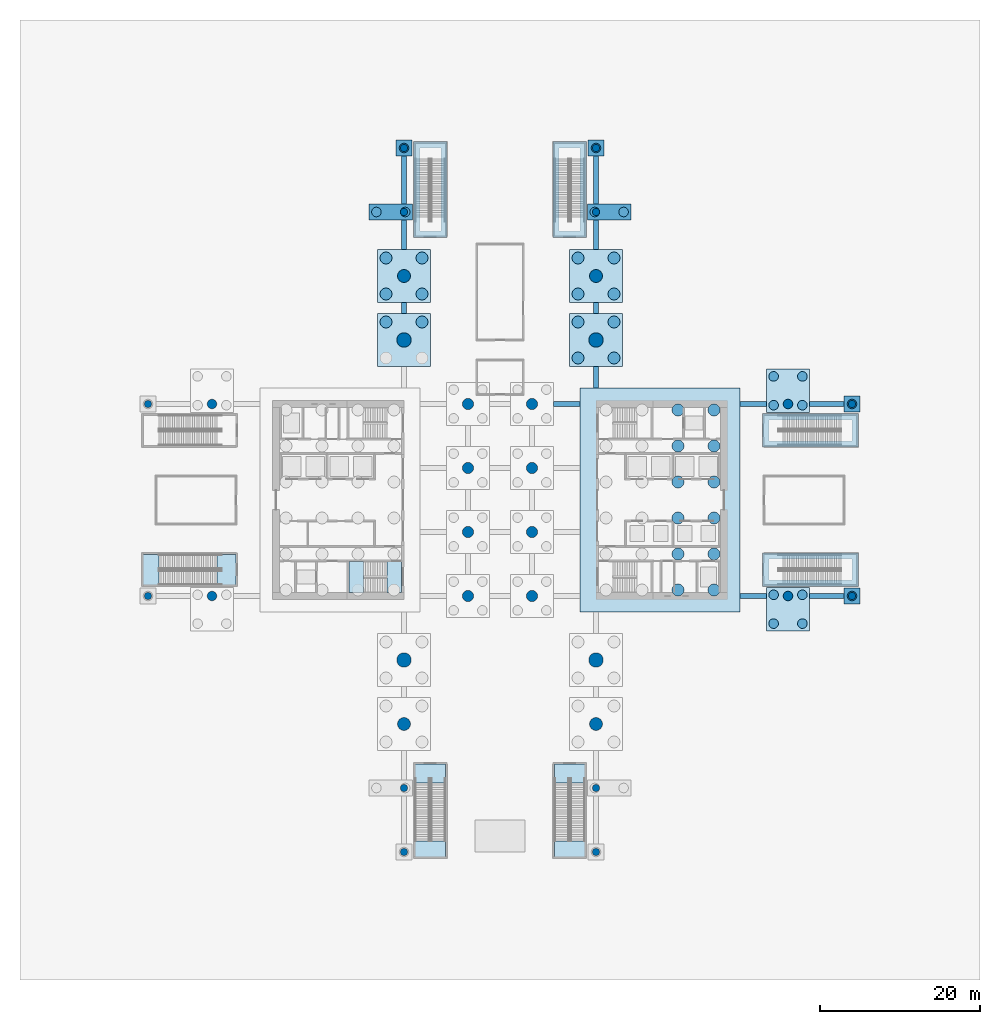
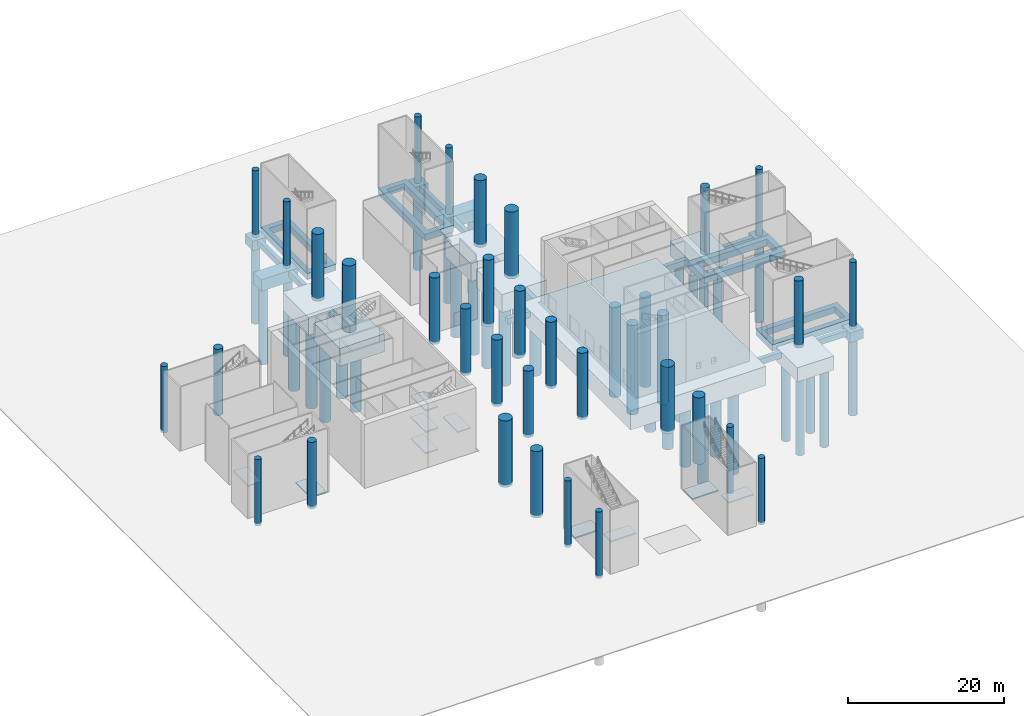
# One storey, part 2 of 14: 42 piles, 32 columns, 29 footings, 10 slabs, 4 elements without a shape of their own.
"""IFC4 building model written with IfcOpenShell, lengths in metres."""

from ifc_helpers import new_model, si_unit, direction, frame, origin, origin_2d, place, context, subcontext, project, spatial, polyline, rectangle, circle, outline, extrude, material, layer, layer_set, material_profile, profile_set, type_object, element, aggregate, save


model = new_model("IFC4")

# Units and contexts
model_context = context("Model", 3, precision=1e-05, world=origin(), true_north=direction((0.0, 1.0)))
body_context = subcontext(model_context, "Body", "Model", "MODEL_VIEW")
ifc_project = project(units=[si_unit("LENGTHUNIT", "METRE"), si_unit("AREAUNIT", "SQUARE_METRE"), si_unit("VOLUMEUNIT", "CUBIC_METRE"), si_unit("PLANEANGLEUNIT", "RADIAN"), si_unit("MASSUNIT", "GRAM", prefix="KILO")], contexts=[model_context])

# Site, building, storey
site_placement = place(None, origin())
site = spatial("IfcSite", under=ifc_project, at=site_placement, CompositionType="ELEMENT")
building_placement = place(site_placement, origin())
building = spatial("IfcBuilding", under=site, at=building_placement, Name="Crosswind Convention Tower", CompositionType="ELEMENT")
storey_placement = place(building_placement, origin())
storey = spatial("IfcBuildingStorey", under=building, at=storey_placement, Name="L00", CompositionType="ELEMENT", Elevation=0.0)

# Piles
ifc_material_1 = material(Name="Concrete C40/50", Category="concrete")
ifc_material_profile_1 = material_profile(ifc_material_1, circle(Radius=0.60009765625, at=origin_2d()), Name="Bored pile D1200")
ifc_profile_set_1 = profile_set([ifc_material_profile_1], Name="Concrete C40/50")
pile_type_1 = type_object("IfcPileType", Name="Bored pile D1200", PredefinedType="BORED", material=ifc_profile_set_1)
for number, where, z_axis, x_axis, name in (
    (1, (109.550048828125, 136.0, -2.199951171875), (0.0, 0.0, -1.0), (1.0, 0.0, 0.0), "Bored pile D1200 at 5/K"),
    (2, (113.14990234375, 136.0, -2.199951171875), (0.0, 0.0, -1.0), (1.0, 0.0, 0.0), "Bored pile D1200 at 5/K"),
    (3, (113.0, 144.0, -1.89990234375), (0.0, 0.0, -1.0), (1.0, 0.0, 0.0), "Bored pile D1200 at 5/L"),
    (4, (136.85009765625, 136.0, -2.199951171875), (0.0, 0.0, -1.0), (1.0, 0.0, 0.0), "Bored pile D1200 at 8/K"),
    (5, (140.449951171875, 136.0, -2.199951171875), (0.0, 0.0, -1.0), (1.0, 0.0, 0.0), "Bored pile D1200 at 8/K"),
    (6, (137.0, 144.0, -1.89990234375), (0.0, 0.0, -1.0), (1.0, 0.0, 0.0), "Bored pile D1200 at 8/L"),
    (7, (159.199951171875, 84.550048828125, -2.60009765625), (0.0, 0.0, -1.0), (1.0, 0.0, 0.0), "Bored pile D1200 at 11/E"),
    (8, (162.800048828125, 84.550048828125, -2.60009765625), (0.0, 0.0, -1.0), (1.0, 0.0, 0.0), "Bored pile D1200 at 11/E"),
    (9, (159.199951171875, 88.14990234375, -2.60009765625), (0.0, 0.0, -1.0), (1.0, 0.0, 0.0), "Bored pile D1200 at 11/E"),
    (10, (162.800048828125, 88.14990234375, -2.60009765625), (0.0, 0.0, -1.0), (1.0, 0.0, 0.0), "Bored pile D1200 at 11/E"),
    (11, (159.199951171875, 111.85009765625, -2.60009765625), (0.0, 0.0, -1.0), (1.0, 0.0, 0.0), "Bored pile D1200 at 11/H"),
    (12, (162.800048828125, 111.85009765625, -2.60009765625), (0.0, 0.0, -1.0), (1.0, 0.0, 0.0), "Bored pile D1200 at 11/H"),
    (13, (159.199951171875, 115.449951171875, -2.60009765625), (0.0, 0.0, -1.0), (1.0, 0.0, 0.0), "Bored pile D1200 at 11/H"),
    (14, (162.800048828125, 115.449951171875, -2.60009765625), (0.0, 0.0, -1.0), (1.0, 0.0, 0.0), "Bored pile D1200 at 11/H"),
    (15, (169.0, 88.0, -1.89990234375), (0.0, 0.0, -1.0), (1.0, 0.0, 0.0), "Bored pile D1200 at 12/E"),
    (16, (169.0, 112.0, -1.89990234375), (0.0, 0.0, -1.0), (1.0, 0.0, 0.0), "Bored pile D1200 at 12/H"),
):
    element("IfcPile", number, at=place(storey_placement, frame(where, z_axis=z_axis, x_axis=x_axis)), inside=storey, type_object=pile_type_1, Name=name, PredefinedType="BORED", context=body_context, shape_type="SweptSolid", body=[
        extrude(circle(Radius=0.60009765625, at=origin_2d()), origin(), (0.0, 0.0, 1.0), 12.0),
    ])
ifc_material_profile_2 = material_profile(ifc_material_1, circle(Radius=0.75, at=origin_2d()), Name="Bored pile D1500")
ifc_profile_set_2 = profile_set([ifc_material_profile_2], Name="Concrete C40/50")
pile_type_2 = type_object("IfcPileType", Name="Bored pile D1500", PredefinedType="BORED", material=ifc_profile_set_2)
for number, where, z_axis, x_axis, name in (
    (17, (147.25, 88.75, -3.39990234375), (0.0, 0.0, -1.0), (1.0, 0.0, 0.0), "Bored pile D1500 under core raft E"),
    (18, (147.25, 93.25, -3.39990234375), (0.0, 0.0, -1.0), (1.0, 0.0, 0.0), "Bored pile D1500 under core raft E"),
    (19, (147.25, 97.75, -3.39990234375), (0.0, 0.0, -1.0), (1.0, 0.0, 0.0), "Bored pile D1500 under core raft E"),
    (20, (147.25, 102.25, -3.39990234375), (0.0, 0.0, -1.0), (1.0, 0.0, 0.0), "Bored pile D1500 under core raft E"),
    (21, (147.25, 106.75, -3.39990234375), (0.0, 0.0, -1.0), (1.0, 0.0, 0.0), "Bored pile D1500 under core raft E"),
    (22, (147.25, 111.25, -3.39990234375), (0.0, 0.0, -1.0), (1.0, 0.0, 0.0), "Bored pile D1500 under core raft E"),
    (23, (151.75, 88.75, -3.39990234375), (0.0, 0.0, -1.0), (1.0, 0.0, 0.0), "Bored pile D1500 under core raft E"),
    (24, (151.75, 93.25, -3.39990234375), (0.0, 0.0, -1.0), (1.0, 0.0, 0.0), "Bored pile D1500 under core raft E"),
    (25, (151.75, 97.75, -3.39990234375), (0.0, 0.0, -1.0), (1.0, 0.0, 0.0), "Bored pile D1500 under core raft E"),
    (26, (151.75, 102.25, -3.39990234375), (0.0, 0.0, -1.0), (1.0, 0.0, 0.0), "Bored pile D1500 under core raft E"),
    (27, (151.75, 106.75, -3.39990234375), (0.0, 0.0, -1.0), (1.0, 0.0, 0.0), "Bored pile D1500 under core raft E"),
    (28, (151.75, 111.25, -3.39990234375), (0.0, 0.0, -1.0), (1.0, 0.0, 0.0), "Bored pile D1500 under core raft E"),
):
    element("IfcPile", number, at=place(storey_placement, frame(where, z_axis=z_axis, x_axis=x_axis)), inside=storey, type_object=pile_type_2, Name=name, PredefinedType="BORED", context=body_context, shape_type="SweptSolid", body=[
        extrude(circle(Radius=0.75, at=origin_2d()), origin(), (0.0, 0.0, 1.0), 14.0),
    ])
for number, where, z_axis, x_axis, name in (
    (29, (110.75, 122.25, -3.199951171875), (0.0, 0.0, -1.0), (1.0, 0.0, 0.0), "Bored pile D1500 at 5/I"),
    (30, (115.25, 122.25, -3.199951171875), (0.0, 0.0, -1.0), (1.0, 0.0, 0.0), "Bored pile D1500 at 5/I"),
    (31, (110.75, 125.75, -3.199951171875), (0.0, 0.0, -1.0), (1.0, 0.0, 0.0), "Bored pile D1500 at 5/J"),
    (32, (115.25, 125.75, -3.199951171875), (0.0, 0.0, -1.0), (1.0, 0.0, 0.0), "Bored pile D1500 at 5/J"),
    (33, (110.75, 130.25, -3.199951171875), (0.0, 0.0, -1.0), (1.0, 0.0, 0.0), "Bored pile D1500 at 5/J"),
    (34, (115.25, 130.25, -3.199951171875), (0.0, 0.0, -1.0), (1.0, 0.0, 0.0), "Bored pile D1500 at 5/J"),
    (35, (134.75, 117.75, -3.199951171875), (0.0, 0.0, -1.0), (1.0, 0.0, 0.0), "Bored pile D1500 at 8/I"),
    (36, (139.25, 117.75, -3.199951171875), (0.0, 0.0, -1.0), (1.0, 0.0, 0.0), "Bored pile D1500 at 8/I"),
    (37, (134.75, 122.25, -3.199951171875), (0.0, 0.0, -1.0), (1.0, 0.0, 0.0), "Bored pile D1500 at 8/I"),
    (38, (139.25, 122.25, -3.199951171875), (0.0, 0.0, -1.0), (1.0, 0.0, 0.0), "Bored pile D1500 at 8/I"),
    (39, (134.75, 125.75, -3.199951171875), (0.0, 0.0, -1.0), (1.0, 0.0, 0.0), "Bored pile D1500 at 8/J"),
    (40, (139.25, 125.75, -3.199951171875), (0.0, 0.0, -1.0), (1.0, 0.0, 0.0), "Bored pile D1500 at 8/J"),
    (41, (134.75, 130.25, -3.199951171875), (0.0, 0.0, -1.0), (1.0, 0.0, 0.0), "Bored pile D1500 at 8/J"),
    (42, (139.25, 130.25, -3.199951171875), (0.0, 0.0, -1.0), (1.0, 0.0, 0.0), "Bored pile D1500 at 8/J"),
):
    element("IfcPile", number, at=place(storey_placement, frame(where, z_axis=z_axis, x_axis=x_axis)), inside=storey, type_object=pile_type_2, Name=name, PredefinedType="BORED", context=body_context, shape_type="SweptSolid", body=[
        extrude(circle(Radius=0.75, at=origin_2d()), origin(), (0.0, 0.0, 1.0), 12.0),
    ])

# Footings
ifc_layer_1 = layer(ifc_material_1, 3.0)
ifc_layer_set_1 = layer_set([ifc_layer_1], Name="Concrete C40/50")
footing_type_1 = type_object("IfcFootingType", Name="Core raft", PredefinedType="PAD_FOOTING", material=ifc_layer_set_1)
footing_1_placement = place(storey_placement, frame((145.0, 100.0, -3.39990234375), z_axis=(0.0, 0.0, 1.0), x_axis=(1.0, 0.0, 0.0)))
element("IfcFooting", 43, at=footing_1_placement, inside=storey, type_object=footing_type_1, Name="Core raft E", PredefinedType="PAD_FOOTING", context=body_context, shape_type="SweptSolid", body=[
    extrude(rectangle(XDim=20.0, YDim=28.0, at=origin_2d()), origin(), (0.0, 0.0, 1.0), 3.0),
])
footing_type_2 = type_object("IfcFootingType", Name="Ground beam 600 x 900", PredefinedType="FOOTING_BEAM", material=ifc_material_1)
footing_2_placement = place(storey_placement, frame((156.64990234375, 88.0, -1.300048828125), z_axis=(0.0, 0.0, 1.0), x_axis=(1.0, 0.0, 0.0)))
element("IfcFooting", 44, at=footing_2_placement, inside=storey, type_object=footing_type_2, Name="Ground beam 6", PredefinedType="FOOTING_BEAM", context=body_context, shape_type="SweptSolid", body=[
    extrude(rectangle(XDim=3.300048828125, YDim=0.60009765625, at=origin_2d()), origin(), (0.0, 0.0, 1.0), 0.89990234375),
])
footing_3_placement = place(storey_placement, frame((165.85009765625, 88.0, -1.300048828125), z_axis=(0.0, 0.0, 1.0), x_axis=(1.0, 0.0, 0.0)))
element("IfcFooting", 45, at=footing_3_placement, inside=storey, type_object=footing_type_2, Name="Ground beam 7", PredefinedType="FOOTING_BEAM", context=body_context, shape_type="SweptSolid", body=[
    extrude(rectangle(XDim=4.300048828125, YDim=0.60009765625, at=origin_2d()), origin(), (0.0, 0.0, 1.0), 0.89990234375),
])
for number, where, z_axis, x_axis, name in (
    (46, (133.35009765625, 112.0, -1.300048828125), (0.0, 0.0, 1.0), (1.0, 0.0, 0.0), "Ground beam 18"),
    (47, (156.64990234375, 112.0, -1.300048828125), (0.0, 0.0, 1.0), (1.0, 0.0, 0.0), "Ground beam 19"),
):
    element("IfcFooting", number, at=place(storey_placement, frame(where, z_axis=z_axis, x_axis=x_axis)), inside=storey, type_object=footing_type_2, Name=name, PredefinedType="FOOTING_BEAM", context=body_context, shape_type="SweptSolid", body=[
        extrude(rectangle(XDim=3.300048828125, YDim=0.60009765625, at=origin_2d()), origin(), (0.0, 0.0, 1.0), 0.89990234375),
    ])
footing_4_placement = place(storey_placement, frame((165.85009765625, 112.0, -1.300048828125), z_axis=(0.0, 0.0, 1.0), x_axis=(1.0, 0.0, 0.0)))
element("IfcFooting", 48, at=footing_4_placement, inside=storey, type_object=footing_type_2, Name="Ground beam 20", PredefinedType="FOOTING_BEAM", context=body_context, shape_type="SweptSolid", body=[
    extrude(rectangle(XDim=4.300048828125, YDim=0.60009765625, at=origin_2d()), origin(), (0.0, 0.0, 1.0), 0.89990234375),
])
footing_5_placement = place(storey_placement, frame((113.0, 124.0, -1.300048828125), z_axis=(0.0, 0.0, 1.0), x_axis=(1.0, 0.0, 0.0)))
element("IfcFooting", 49, at=footing_5_placement, inside=storey, type_object=footing_type_2, Name="Ground beam 26", PredefinedType="FOOTING_BEAM", context=body_context, shape_type="SweptSolid", body=[
    extrude(rectangle(XDim=0.60009765625, YDim=1.39990234375, at=origin_2d()), origin(), (0.0, 0.0, 1.0), 0.89990234375),
])
footing_6_placement = place(storey_placement, frame((113.0, 133.14990234375, -1.300048828125), z_axis=(0.0, 0.0, 1.0), x_axis=(1.0, 0.0, 0.0)))
element("IfcFooting", 50, at=footing_6_placement, inside=storey, type_object=footing_type_2, Name="Ground beam 27", PredefinedType="FOOTING_BEAM", context=body_context, shape_type="SweptSolid", body=[
    extrude(rectangle(XDim=0.60009765625, YDim=3.699951171875, at=origin_2d()), origin(), (0.0, 0.0, 1.0), 0.89990234375),
])
footing_7_placement = place(storey_placement, frame((113.0, 140.0, -1.300048828125), z_axis=(0.0, 0.0, 1.0), x_axis=(1.0, 0.0, 0.0)))
element("IfcFooting", 51, at=footing_7_placement, inside=storey, type_object=footing_type_2, Name="Ground beam 28", PredefinedType="FOOTING_BEAM", context=body_context, shape_type="SweptSolid", body=[
    extrude(rectangle(XDim=0.60009765625, YDim=6.0, at=origin_2d()), origin(), (0.0, 0.0, 1.0), 0.89990234375),
])
footing_8_placement = place(storey_placement, frame((137.0, 115.35009765625, -1.300048828125), z_axis=(0.0, 0.0, 1.0), x_axis=(1.0, 0.0, 0.0)))
element("IfcFooting", 52, at=footing_8_placement, inside=storey, type_object=footing_type_2, Name="Ground beam 39", PredefinedType="FOOTING_BEAM", context=body_context, shape_type="SweptSolid", body=[
    extrude(rectangle(XDim=0.60009765625, YDim=2.699951171875, at=origin_2d()), origin(), (0.0, 0.0, 1.0), 0.89990234375),
])
footing_9_placement = place(storey_placement, frame((137.0, 124.0, -1.300048828125), z_axis=(0.0, 0.0, 1.0), x_axis=(1.0, 0.0, 0.0)))
element("IfcFooting", 53, at=footing_9_placement, inside=storey, type_object=footing_type_2, Name="Ground beam 40", PredefinedType="FOOTING_BEAM", context=body_context, shape_type="SweptSolid", body=[
    extrude(rectangle(XDim=0.60009765625, YDim=1.39990234375, at=origin_2d()), origin(), (0.0, 0.0, 1.0), 0.89990234375),
])
footing_10_placement = place(storey_placement, frame((137.0, 133.14990234375, -1.300048828125), z_axis=(0.0, 0.0, 1.0), x_axis=(1.0, 0.0, 0.0)))
element("IfcFooting", 54, at=footing_10_placement, inside=storey, type_object=footing_type_2, Name="Ground beam 41", PredefinedType="FOOTING_BEAM", context=body_context, shape_type="SweptSolid", body=[
    extrude(rectangle(XDim=0.60009765625, YDim=3.699951171875, at=origin_2d()), origin(), (0.0, 0.0, 1.0), 0.89990234375),
])
footing_11_placement = place(storey_placement, frame((137.0, 140.0, -1.300048828125), z_axis=(0.0, 0.0, 1.0), x_axis=(1.0, 0.0, 0.0)))
element("IfcFooting", 55, at=footing_11_placement, inside=storey, type_object=footing_type_2, Name="Ground beam 42", PredefinedType="FOOTING_BEAM", context=body_context, shape_type="SweptSolid", body=[
    extrude(rectangle(XDim=0.60009765625, YDim=6.0, at=origin_2d()), origin(), (0.0, 0.0, 1.0), 0.89990234375),
])
ifc_layer_2 = layer(ifc_material_1, 1.5)
ifc_layer_set_2 = layer_set([ifc_layer_2], Name="Concrete C40/50")
footing_type_3 = type_object("IfcFootingType", Name="Pile cap 2000 MM x 2000 MM x 1500 MM", PredefinedType="PILE_CAP", material=ifc_layer_set_2)
for number, where, z_axis, x_axis, name in (
    (56, (113.0, 144.0, -1.89990234375), (0.0, 0.0, 1.0), (1.0, 0.0, 0.0), "Pile cap at 5/L"),
    (57, (137.0, 144.0, -1.89990234375), (0.0, 0.0, 1.0), (1.0, 0.0, 0.0), "Pile cap at 8/L"),
    (58, (169.0, 88.0, -1.89990234375), (0.0, 0.0, 1.0), (1.0, 0.0, 0.0), "Pile cap at 12/E"),
    (59, (169.0, 112.0, -1.89990234375), (0.0, 0.0, 1.0), (1.0, 0.0, 0.0), "Pile cap at 12/H"),
):
    element("IfcFooting", number, at=place(storey_placement, frame(where, z_axis=z_axis, x_axis=x_axis)), inside=storey, type_object=footing_type_3, Name=name, PredefinedType="PILE_CAP", context=body_context, shape_type="SweptSolid", body=[
        extrude(rectangle(XDim=2.0, YDim=2.0, at=origin_2d()), origin(), (0.0, 0.0, 1.0), 1.5),
    ])
ifc_layer_3 = layer(ifc_material_1, 1.800048828125)
ifc_layer_set_3 = layer_set([ifc_layer_3], Name="Concrete C40/50")
footing_type_4 = type_object("IfcFootingType", Name="Pile cap 5400 MM x 2000 MM x 1800 MM", PredefinedType="PILE_CAP", material=ifc_layer_set_3)
for number, where, z_axis, x_axis, name in (
    (60, (111.35009765625, 136.0, -2.2001953125), (0.0, 0.0, 1.0), (1.0, 0.0, 0.0), "Pile cap at 5/K"),
    (61, (138.64990234375, 136.0, -2.2001953125), (0.0, 0.0, 1.0), (1.0, 0.0, 0.0), "Pile cap at 8/K"),
):
    element("IfcFooting", number, at=place(storey_placement, frame(where, z_axis=z_axis, x_axis=x_axis)), inside=storey, type_object=footing_type_4, Name=name, PredefinedType="PILE_CAP", context=body_context, shape_type="SweptSolid", body=[
        extrude(rectangle(XDim=5.39990234375, YDim=2.0, at=origin_2d()), origin(), (0.0, 0.0, 1.0), 1.800048828125),
    ])
ifc_layer_4 = layer(ifc_material_1, 2.199951171875)
ifc_layer_set_4 = layer_set([ifc_layer_4], Name="Concrete C40/50")
footing_type_5 = type_object("IfcFootingType", Name="Pile cap 5400 MM x 5400 MM x 2200 MM", PredefinedType="PILE_CAP", material=ifc_layer_set_4)
for number, where, z_axis, x_axis, name in (
    (62, (161.0, 86.35009765625, -2.60009765625), (0.0, 0.0, 1.0), (1.0, 0.0, 0.0), "Pile cap at 11/E"),
    (63, (161.0, 113.64990234375, -2.60009765625), (0.0, 0.0, 1.0), (1.0, 0.0, 0.0), "Pile cap at 11/H"),
):
    element("IfcFooting", number, at=place(storey_placement, frame(where, z_axis=z_axis, x_axis=x_axis)), inside=storey, type_object=footing_type_5, Name=name, PredefinedType="PILE_CAP", context=body_context, shape_type="SweptSolid", body=[
        extrude(rectangle(XDim=5.39990234375, YDim=5.39990234375, at=origin_2d()), origin(), (0.0, 0.0, 1.0), 2.199951171875),
    ])
ifc_layer_5 = layer(ifc_material_1, 2.800048828125)
ifc_layer_set_5 = layer_set([ifc_layer_5], Name="Concrete C40/50")
footing_type_6 = type_object("IfcFootingType", Name="Pile cap 6600 MM x 6600 MM x 2800 MM", PredefinedType="PILE_CAP", material=ifc_layer_set_5)
for number, where, z_axis, x_axis, name in (
    (64, (113.0, 120.0, -3.2001953125), (0.0, 0.0, 1.0), (1.0, 0.0, 0.0), "Pile cap at 5/I"),
    (65, (113.0, 128.0, -3.2001953125), (0.0, 0.0, 1.0), (1.0, 0.0, 0.0), "Pile cap at 5/J"),
    (66, (137.0, 120.0, -3.2001953125), (0.0, 0.0, 1.0), (1.0, 0.0, 0.0), "Pile cap at 8/I"),
    (67, (137.0, 128.0, -3.2001953125), (0.0, 0.0, 1.0), (1.0, 0.0, 0.0), "Pile cap at 8/J"),
):
    element("IfcFooting", number, at=place(storey_placement, frame(where, z_axis=z_axis, x_axis=x_axis)), inside=storey, type_object=footing_type_6, Name=name, PredefinedType="PILE_CAP", context=body_context, shape_type="SweptSolid", body=[
        extrude(rectangle(XDim=6.60009765625, YDim=6.60009765625, at=origin_2d()), origin(), (0.0, 0.0, 1.0), 2.800048828125),
    ])
ifc_layer_6 = layer(ifc_material_1, 1.0)
ifc_layer_set_6 = layer_set([ifc_layer_6], Name="Concrete C40/50")
footing_type_7 = type_object("IfcFootingType", Name="Stair enclosure strip footing", PredefinedType="STRIP_FOOTING", material=ifc_layer_set_6)
footing_12_placement = place(storey_placement, frame((0.0, 0.0, -1.0)))
element("IfcFooting", 68, at=footing_12_placement, inside=storey, type_object=footing_type_7, Name="Strip footing under stair enclosure E1", PredefinedType="STRIP_FOOTING", context=body_context, shape_type="SweptSolid", body=[
    extrude(outline(polyline([(157.800048828125, 89.199951171875), (169.800048828125, 89.199951171875), (169.800048828125, 93.39990234375), (157.800048828125, 93.39990234375), (157.800048828125, 89.199951171875)]), holes=[polyline([(158.60009765625, 90.0), (158.60009765625, 92.60009765625), (169.0, 92.60009765625), (169.0, 90.0), (158.60009765625, 90.0)])]), origin(), (0.0, 0.0, 1.0), 1.0),
])
footing_13_placement = place(storey_placement, frame((0.0, 0.0, -1.0)))
element("IfcFooting", 69, at=footing_13_placement, inside=storey, type_object=footing_type_7, Name="Strip footing under stair enclosure E2", PredefinedType="STRIP_FOOTING", context=body_context, shape_type="SweptSolid", body=[
    extrude(outline(polyline([(157.800048828125, 106.60009765625), (169.800048828125, 106.60009765625), (169.800048828125, 110.800048828125), (157.800048828125, 110.800048828125), (157.800048828125, 106.60009765625)]), holes=[polyline([(158.60009765625, 107.39990234375), (158.60009765625, 110.0), (169.0, 110.0), (169.0, 107.39990234375), (158.60009765625, 107.39990234375)])]), origin(), (0.0, 0.0, 1.0), 1.0),
])
footing_14_placement = place(storey_placement, frame((0.0, 0.0, -1.0)))
element("IfcFooting", 70, at=footing_14_placement, inside=storey, type_object=footing_type_7, Name="Strip footing under stair enclosure N1", PredefinedType="STRIP_FOOTING", context=body_context, shape_type="SweptSolid", body=[
    extrude(outline(polyline([(114.199951171875, 132.800048828125), (118.39990234375, 132.800048828125), (118.39990234375, 144.800048828125), (114.199951171875, 144.800048828125), (114.199951171875, 132.800048828125)]), holes=[polyline([(115.0, 133.60009765625), (115.0, 144.0), (117.60009765625, 144.0), (117.60009765625, 133.60009765625), (115.0, 133.60009765625)])]), origin(), (0.0, 0.0, 1.0), 1.0),
])
footing_15_placement = place(storey_placement, frame((0.0, 0.0, -1.0)))
element("IfcFooting", 71, at=footing_15_placement, inside=storey, type_object=footing_type_7, Name="Strip footing under stair enclosure N2", PredefinedType="STRIP_FOOTING", context=body_context, shape_type="SweptSolid", body=[
    extrude(outline(polyline([(131.60009765625, 132.800048828125), (135.800048828125, 132.800048828125), (135.800048828125, 144.800048828125), (131.60009765625, 144.800048828125), (131.60009765625, 132.800048828125)]), holes=[polyline([(132.39990234375, 133.60009765625), (132.39990234375, 144.0), (135.0, 144.0), (135.0, 133.60009765625), (132.39990234375, 133.60009765625)])]), origin(), (0.0, 0.0, 1.0), 1.0),
])

# Columns
ifc_material_2 = material(Name="Concrete C70/85", Category="concrete")
ifc_material_profile_3 = material_profile(ifc_material_2, circle(Radius=0.60009765625, at=origin_2d()), Name="RC D1200")
ifc_profile_set_3 = profile_set([ifc_material_profile_3], Name="Concrete C70/85")
column_type_1 = type_object("IfcColumnType", Name="Column RC D1200", PredefinedType="COLUMN", material=ifc_profile_set_3)
for number, where, z_axis, x_axis, name in (
    (72, (89.0, 88.0, -0.39990234375), (0.0, 0.0, 1.0), (1.0, 0.0, 0.0), "C5 L00 2/E"),
    (73, (89.0, 112.0, -0.39990234375), (0.0, 0.0, 1.0), (1.0, 0.0, 0.0), "C5 L00 2/H"),
    (74, (161.0, 88.0, -0.39990234375), (0.0, 0.0, 1.0), (1.0, 0.0, 0.0), "C5 L00 11/E"),
    (75, (161.0, 112.0, -0.39990234375), (0.0, 0.0, 1.0), (1.0, 0.0, 0.0), "C5 L00 11/H"),
):
    element("IfcColumn", number, at=place(storey_placement, frame(where, z_axis=z_axis, x_axis=x_axis)), inside=storey, type_object=column_type_1, Name=name, PredefinedType="COLUMN", context=body_context, shape_type="SweptSolid", body=[
        extrude(circle(Radius=0.60009765625, at=origin_2d()), origin(), (0.0, 0.0, 1.0), 10.39990234375),
    ])
ifc_material_3 = material(Name="Concrete C80/95", Category="concrete")
ifc_material_profile_4 = material_profile(ifc_material_3, circle(Radius=0.699951171875, at=origin_2d()), Name="RC D1400")
ifc_profile_set_4 = profile_set([ifc_material_profile_4], Name="Concrete C80/95")
column_type_2 = type_object("IfcColumnType", Name="Column RC D1400", PredefinedType="COLUMN", material=ifc_profile_set_4)
for number, where, z_axis, x_axis, name in (
    (76, (121.0, 88.0, -0.39990234375), (0.0, 0.0, 1.0), (1.0, 0.0, 0.0), "C4 L00 6/E"),
    (77, (121.0, 96.0, -0.39990234375), (0.0, 0.0, 1.0), (1.0, 0.0, 0.0), "C4 L00 6/F"),
    (78, (121.0, 104.0, -0.39990234375), (0.0, 0.0, 1.0), (1.0, 0.0, 0.0), "C4 L00 6/G"),
    (79, (121.0, 112.0, -0.39990234375), (0.0, 0.0, 1.0), (1.0, 0.0, 0.0), "C4 L00 6/H"),
    (80, (129.0, 88.0, -0.39990234375), (0.0, 0.0, 1.0), (1.0, 0.0, 0.0), "C4 L00 7/E"),
    (81, (129.0, 96.0, -0.39990234375), (0.0, 0.0, 1.0), (1.0, 0.0, 0.0), "C4 L00 7/F"),
    (82, (129.0, 104.0, -0.39990234375), (0.0, 0.0, 1.0), (1.0, 0.0, 0.0), "C4 L00 7/G"),
    (83, (129.0, 112.0, -0.39990234375), (0.0, 0.0, 1.0), (1.0, 0.0, 0.0), "C4 L00 7/H"),
):
    element("IfcColumn", number, at=place(storey_placement, frame(where, z_axis=z_axis, x_axis=x_axis)), inside=storey, type_object=column_type_2, Name=name, PredefinedType="COLUMN", context=body_context, shape_type="SweptSolid", body=[
        extrude(circle(Radius=0.699951171875, at=origin_2d()), origin(), (0.0, 0.0, 1.0), 10.39990234375),
    ])
ifc_material_profile_5 = material_profile(ifc_material_3, circle(Radius=0.800048828125, at=origin_2d()), Name="RC D1600")
ifc_profile_set_5 = profile_set([ifc_material_profile_5], Name="Concrete C80/95")
column_type_3 = type_object("IfcColumnType", Name="Column RC D1600", PredefinedType="COLUMN", material=ifc_profile_set_5)
for number, where, z_axis, x_axis, name in (
    (84, (113.0, 72.0, -0.39990234375), (0.0, 0.0, 1.0), (1.0, 0.0, 0.0), "C3 L00 5/C"),
    (85, (113.0, 128.0, -0.39990234375), (0.0, 0.0, 1.0), (1.0, 0.0, 0.0), "C3 L00 5/J"),
    (86, (137.0, 72.0, -0.39990234375), (0.0, 0.0, 1.0), (1.0, 0.0, 0.0), "C3 L00 8/C"),
    (87, (137.0, 128.0, -0.39990234375), (0.0, 0.0, 1.0), (1.0, 0.0, 0.0), "C3 L00 8/J"),
):
    element("IfcColumn", number, at=place(storey_placement, frame(where, z_axis=z_axis, x_axis=x_axis)), inside=storey, type_object=column_type_3, Name=name, PredefinedType="COLUMN", context=body_context, shape_type="SweptSolid", body=[
        extrude(circle(Radius=0.800048828125, at=origin_2d()), origin(), (0.0, 0.0, 1.0), 10.39990234375),
    ])
ifc_material_profile_6 = material_profile(ifc_material_3, circle(Radius=0.89990234375, at=origin_2d()), Name="RC D1800")
ifc_profile_set_6 = profile_set([ifc_material_profile_6], Name="Concrete C80/95")
column_type_4 = type_object("IfcColumnType", Name="Column RC D1800", PredefinedType="COLUMN", material=ifc_profile_set_6)
for number, where, z_axis, x_axis, name in (
    (88, (113.0, 80.0, -0.39990234375), (0.0, 0.0, 1.0), (1.0, 0.0, 0.0), "C2 L00 5/D"),
    (89, (113.0, 120.0, -0.39990234375), (0.0, 0.0, 1.0), (1.0, 0.0, 0.0), "C2 L00 5/I"),
    (90, (137.0, 80.0, -0.39990234375), (0.0, 0.0, 1.0), (1.0, 0.0, 0.0), "C2 L00 8/D"),
    (91, (137.0, 120.0, -0.39990234375), (0.0, 0.0, 1.0), (1.0, 0.0, 0.0), "C2 L00 8/I"),
):
    element("IfcColumn", number, at=place(storey_placement, frame(where, z_axis=z_axis, x_axis=x_axis)), inside=storey, type_object=column_type_4, Name=name, PredefinedType="COLUMN", context=body_context, shape_type="SweptSolid", body=[
        extrude(circle(Radius=0.89990234375, at=origin_2d()), origin(), (0.0, 0.0, 1.0), 10.39990234375),
    ])
ifc_material_4 = material(Name="Concrete C60/75", Category="concrete")
ifc_material_profile_7 = material_profile(ifc_material_4, circle(Radius=0.449951171875, at=origin_2d()), Name="RC D900")
ifc_profile_set_7 = profile_set([ifc_material_profile_7], Name="Concrete C60/75")
column_type_5 = type_object("IfcColumnType", Name="Column RC D900", PredefinedType="COLUMN", material=ifc_profile_set_7)
for number, where, z_axis, x_axis, name in (
    (92, (81.0, 88.0, -0.39990234375), (0.0, 0.0, 1.0), (1.0, 0.0, 0.0), "C7 L00 1/E"),
    (93, (81.0, 112.0, -0.39990234375), (0.0, 0.0, 1.0), (1.0, 0.0, 0.0), "C7 L00 1/H"),
    (94, (113.0, 56.0, -0.39990234375), (0.0, 0.0, 1.0), (1.0, 0.0, 0.0), "C7 L00 5/A"),
    (95, (113.0, 64.0, -0.39990234375), (0.0, 0.0, 1.0), (1.0, 0.0, 0.0), "C7 L00 5/B"),
    (96, (113.0, 136.0, -0.39990234375), (0.0, 0.0, 1.0), (1.0, 0.0, 0.0), "C7 L00 5/K"),
    (97, (113.0, 144.0, -0.39990234375), (0.0, 0.0, 1.0), (1.0, 0.0, 0.0), "C7 L00 5/L"),
    (98, (137.0, 56.0, -0.39990234375), (0.0, 0.0, 1.0), (1.0, 0.0, 0.0), "C7 L00 8/A"),
    (99, (137.0, 64.0, -0.39990234375), (0.0, 0.0, 1.0), (1.0, 0.0, 0.0), "C7 L00 8/B"),
    (100, (137.0, 136.0, -0.39990234375), (0.0, 0.0, 1.0), (1.0, 0.0, 0.0), "C7 L00 8/K"),
    (101, (137.0, 144.0, -0.39990234375), (0.0, 0.0, 1.0), (1.0, 0.0, 0.0), "C7 L00 8/L"),
    (102, (169.0, 88.0, -0.39990234375), (0.0, 0.0, 1.0), (1.0, 0.0, 0.0), "C7 L00 12/E"),
    (103, (169.0, 112.0, -0.39990234375), (0.0, 0.0, 1.0), (1.0, 0.0, 0.0), "C7 L00 12/H"),
):
    element("IfcColumn", number, at=place(storey_placement, frame(where, z_axis=z_axis, x_axis=x_axis)), inside=storey, type_object=column_type_5, Name=name, PredefinedType="COLUMN", context=body_context, shape_type="SweptSolid", body=[
        extrude(circle(Radius=0.449951171875, at=origin_2d()), origin(), (0.0, 0.0, 1.0), 10.39990234375),
    ])

# Stair, slabs
stair_type_1 = type_object("IfcStairType", Name="PODIUM EXIT STAIR 10000 RISE", PredefinedType="HALF_TURN_STAIR", material=ifc_material_1)
stair_1_placement = place(storey_placement, origin())
stair_1 = element("IfcStair", 104, at=stair_1_placement, inside=storey, type_object=stair_type_1, Name="Exit stair S1 L00", ObjectType="ST10", PredefinedType="HALF_TURN_STAIR")
ifc_layer_7 = layer(ifc_material_1, 0.199951171875)
ifc_layer_set_7 = layer_set([ifc_layer_7], Name="Concrete C40/50")
slab_type_1 = type_object("IfcSlabType", Name="PODIUM STAIR LANDING 200 FOR 29 RISERS", PredefinedType="LANDING", material=ifc_layer_set_7)
slab_1_placement = place(storey_placement, frame((0.0, 0.0, 4.800048828125)))
slab_1 = element("IfcSlab", 105, at=slab_1_placement, type_object=slab_type_1, Name="ST10 landing 1", PredefinedType="LANDING", context=body_context, shape_type="SweptSolid", body=[
    extrude(outline(polyline([(114.39990234375, 57.360107421875), (114.39990234375, 55.39990234375), (118.199951171875, 55.39990234375), (118.199951171875, 57.360107421875), (114.39990234375, 57.360107421875)])), origin(), (0.0, 0.0, 1.0), 0.199951171875),
])
slab_2_placement = place(storey_placement, frame((0.0, 0.0, -0.199951171875)))
slab_2 = element("IfcSlab", 106, at=slab_2_placement, type_object=slab_type_1, Name="ST10 landing 2", PredefinedType="LANDING", context=body_context, shape_type="SweptSolid", body=[
    extrude(outline(polyline([(114.39990234375, 67.0), (114.39990234375, 64.60009765625), (118.199951171875, 64.60009765625), (118.199951171875, 67.0), (114.39990234375, 67.0)])), origin(), (0.0, 0.0, 1.0), 0.199951171875),
])
aggregate(stair_1, [slab_1, slab_2])

stair_2_placement = place(storey_placement, origin())
stair_2 = element("IfcStair", 107, at=stair_2_placement, inside=storey, type_object=stair_type_1, Name="Exit stair S2 L00", ObjectType="ST10", PredefinedType="HALF_TURN_STAIR")
slab_3_placement = place(storey_placement, frame((0.0, 0.0, 4.800048828125)))
slab_3 = element("IfcSlab", 108, at=slab_3_placement, type_object=slab_type_1, Name="ST10 landing 1", PredefinedType="LANDING", context=body_context, shape_type="SweptSolid", body=[
    extrude(outline(polyline([(131.800048828125, 57.360107421875), (131.800048828125, 55.39990234375), (135.60009765625, 55.39990234375), (135.60009765625, 57.360107421875), (131.800048828125, 57.360107421875)])), origin(), (0.0, 0.0, 1.0), 0.199951171875),
])
slab_4_placement = place(storey_placement, frame((0.0, 0.0, -0.199951171875)))
slab_4 = element("IfcSlab", 109, at=slab_4_placement, type_object=slab_type_1, Name="ST10 landing 2", PredefinedType="LANDING", context=body_context, shape_type="SweptSolid", body=[
    extrude(outline(polyline([(131.800048828125, 67.0), (131.800048828125, 64.60009765625), (135.60009765625, 64.60009765625), (135.60009765625, 67.0), (131.800048828125, 67.0)])), origin(), (0.0, 0.0, 1.0), 0.199951171875),
])
aggregate(stair_2, [slab_3, slab_4])

stair_3_placement = place(storey_placement, origin())
stair_3 = element("IfcStair", 110, at=stair_3_placement, inside=storey, type_object=stair_type_1, Name="Exit stair W1 L00", ObjectType="ST10", PredefinedType="HALF_TURN_STAIR")
slab_5_placement = place(storey_placement, frame((0.0, 0.0, 4.800048828125)))
slab_5 = element("IfcSlab", 111, at=slab_5_placement, type_object=slab_type_1, Name="ST10 landing 1", PredefinedType="LANDING", context=body_context, shape_type="SweptSolid", body=[
    extrude(outline(polyline([(82.360107421875, 93.199951171875), (80.39990234375, 93.199951171875), (80.39990234375, 89.39990234375), (82.360107421875, 89.39990234375), (82.360107421875, 93.199951171875)])), origin(), (0.0, 0.0, 1.0), 0.199951171875),
])
slab_6_placement = place(storey_placement, frame((0.0, 0.0, -0.199951171875)))
slab_6 = element("IfcSlab", 112, at=slab_6_placement, type_object=slab_type_1, Name="ST10 landing 2", PredefinedType="LANDING", context=body_context, shape_type="SweptSolid", body=[
    extrude(outline(polyline([(92.0, 93.199951171875), (89.60009765625, 93.199951171875), (89.60009765625, 89.39990234375), (92.0, 89.39990234375), (92.0, 93.199951171875)])), origin(), (0.0, 0.0, 1.0), 0.199951171875),
])
aggregate(stair_3, [slab_5, slab_6])

stair_type_2 = type_object("IfcStairType", Name="Exit stair 1800 wide, 6 flights of 11 risers", PredefinedType="HALF_TURN_STAIR", material=ifc_material_1)
stair_4_placement = place(storey_placement, origin())
stair_4 = element("IfcStair", 113, at=stair_4_placement, inside=storey, type_object=stair_type_2, Name="Exit stair ST3 L00", ObjectType="ST7", PredefinedType="HALF_TURN_STAIR")
ifc_layer_8 = layer(ifc_material_1, 0.199951171875)
ifc_layer_set_8 = layer_set([ifc_layer_8], Name="Concrete C40/50")
slab_type_2 = type_object("IfcSlabType", Name="Stair landing 200", PredefinedType="LANDING", material=ifc_layer_set_8)
slab_7_placement = place(storey_placement, frame((0.0, 0.0, 1.466552734375)))
slab_7 = element("IfcSlab", 114, at=slab_7_placement, type_object=slab_type_2, Name="ST3 landing 1", PredefinedType="LANDING", context=body_context, shape_type="SweptSolid", body=[
    extrude(outline(polyline([(107.949951171875, 88.449951171875), (107.949951171875, 92.300048828125), (106.10009765625, 92.300048828125), (106.10009765625, 88.449951171875), (107.949951171875, 88.449951171875)])), origin(), (0.0, 0.0, 1.0), 0.2001953125),
])
slab_8_placement = place(storey_placement, frame((0.0, 0.0, 3.13330078125)))
slab_8 = element("IfcSlab", 115, at=slab_8_placement, type_object=slab_type_2, Name="ST3 landing 2", PredefinedType="LANDING", context=body_context, shape_type="SweptSolid", body=[
    extrude(outline(polyline([(112.699951171875, 88.449951171875), (112.699951171875, 92.300048828125), (110.85009765625, 92.300048828125), (110.85009765625, 88.449951171875), (112.699951171875, 88.449951171875)])), origin(), (0.0, 0.0, 1.0), 0.199951171875),
])
slab_9_placement = place(storey_placement, frame((0.0, 0.0, 4.800048828125)))
slab_9 = element("IfcSlab", 116, at=slab_9_placement, type_object=slab_type_2, Name="ST3 landing 3", PredefinedType="LANDING", context=body_context, shape_type="SweptSolid", body=[
    extrude(outline(polyline([(107.949951171875, 88.449951171875), (107.949951171875, 92.300048828125), (106.10009765625, 92.300048828125), (106.10009765625, 88.449951171875), (107.949951171875, 88.449951171875)])), origin(), (0.0, 0.0, 1.0), 0.199951171875),
])
slab_10_placement = place(storey_placement, frame((0.0, 0.0, 8.13330078125)))
slab_10 = element("IfcSlab", 117, at=slab_10_placement, type_object=slab_type_2, Name="ST3 landing 5", PredefinedType="LANDING", context=body_context, shape_type="SweptSolid", body=[
    extrude(outline(polyline([(107.949951171875, 88.449951171875), (107.949951171875, 92.300048828125), (106.10009765625, 92.300048828125), (106.10009765625, 88.449951171875), (107.949951171875, 88.449951171875)])), origin(), (0.0, 0.0, 1.0), 0.199951171875),
])
aggregate(stair_4, [slab_7, slab_8, slab_9, slab_10])

save(model, "model.ifc")
